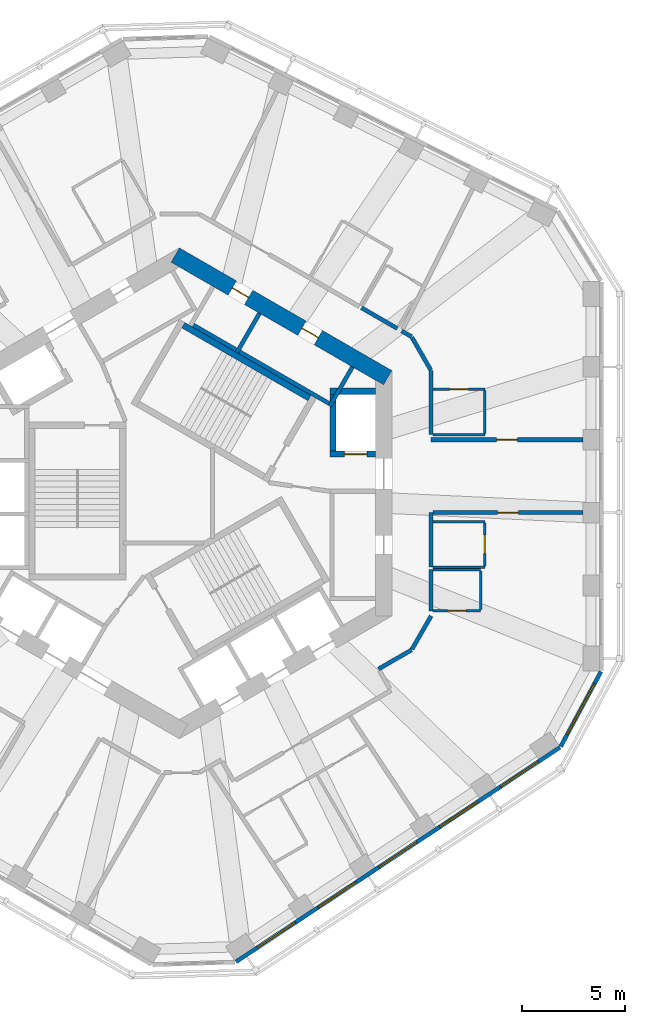
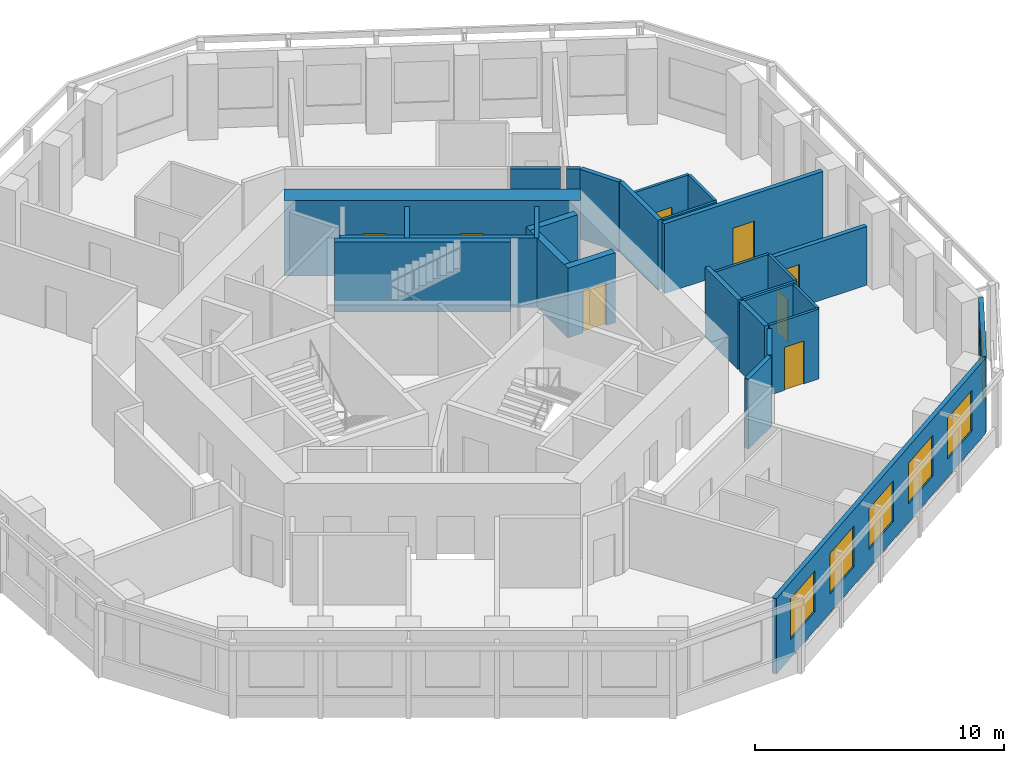
# One storey, part 6 of 11: 29 walls, 8 doors, 6 windows, 14 openings.
"""IFC4 building model written with IfcOpenShell, lengths in metres."""

from ifc_helpers import new_model, si_unit, direction, frame, frame_2d, origin, place, context, subcontext, project, spatial, rectangle, extrude, material, layer, layer_set, type_object, element, fill, save


model = new_model("IFC4")

# Units and contexts
model_context = context("Model", 3, precision=1e-05, world=origin(), true_north=direction((0.0, 1.0)))
body_context = subcontext(model_context, "Body", "Model", "MODEL_VIEW")
ifc_project = project(units=[si_unit("LENGTHUNIT", "METRE"), si_unit("AREAUNIT", "SQUARE_METRE"), si_unit("VOLUMEUNIT", "CUBIC_METRE"), si_unit("PLANEANGLEUNIT", "RADIAN"), si_unit("MASSUNIT", "GRAM", prefix="KILO")], contexts=[model_context])

# Site, building, storey
site_placement = place(None, origin())
site = spatial("IfcSite", under=ifc_project, at=site_placement, CompositionType="ELEMENT")
building_placement = place(site_placement, origin())
building = spatial("IfcBuilding", under=site, at=building_placement, Name="Vanh Sen Convention Tower", CompositionType="ELEMENT")
storey_placement = place(building_placement, frame((0.0, 0.0, 221.699951171875)))
storey = spatial("IfcBuildingStorey", under=building, at=storey_placement, Name="L54", CompositionType="ELEMENT", Elevation=221.699951171875)

# Walls
ifc_material_1 = material(Name="Moisture-resistant gypsum board on steel studs", Category="steel")
ifc_layer_1 = layer(ifc_material_1, 0.1201171875)
ifc_layer_set_1 = layer_set([ifc_layer_1], Name="Moisture-resistant gypsum board on steel studs")
wall_type_1 = type_object("IfcWallType", Name="Bathroom partition 120", PredefinedType="PARTITIONING", material=ifc_layer_set_1)
wall_1_placement = place(storey_placement, frame((12.300048828125, -3.69677734375, 0.0), z_axis=(0.0, 0.0, 1.0), x_axis=(1.0, 0.0, 0.0)))
element("IfcWall", 1, at=wall_1_placement, inside=storey, type_object=wall_type_1, Name="Bathroom partition 120", PredefinedType="PARTITIONING", context=body_context, shape_type="SweptSolid", body=[
    extrude(rectangle(XDim=2.300048828125, YDim=0.1201171875, at=frame_2d((1.14990234375, 0.0))), origin(), (0.0, 0.0, 1.0), 3.420166015625),
])
wall_2_placement = place(storey_placement, frame((12.300048828125, -1.376708984375, 0.0), z_axis=(0.0, 0.0, 1.0), x_axis=(1.0, 0.0, 0.0)))
element("IfcWall", 2, at=wall_2_placement, inside=storey, type_object=wall_type_1, Name="Bathroom partition 120", PredefinedType="PARTITIONING", context=body_context, shape_type="SweptSolid", body=[
    extrude(rectangle(XDim=2.5, YDim=0.1201171875, at=frame_2d((1.25, 0.0))), origin(), (0.0, 0.0, 1.0), 3.420166015625),
])

# Wall, opening, door
wall_3_placement = place(storey_placement, frame((12.300048828125, 5.048095703125, 0.0), z_axis=(0.0, 0.0, 1.0), x_axis=(1.0, 0.0, 0.0)))
wall_3 = element("IfcWall", 3, at=wall_3_placement, inside=storey, type_object=wall_type_1, Name="Bathroom partition 120", PredefinedType="PARTITIONING", context=body_context, shape_type="SweptSolid", body=[
    extrude(rectangle(XDim=2.5, YDim=0.1201171875, at=frame_2d((1.25, 0.0))), origin(), (0.0, 0.0, 1.0), 3.420166015625),
])
opening_1_placement = place(wall_3_placement, frame((0.800048828125, 0.0, 0.0)))
opening_1 = element("IfcOpeningElement", 4, at=opening_1_placement, cuts=wall_3, Name="Opening D52102", PredefinedType="OPENING", context=body_context, shape_type="SweptSolid", body=[
    extrude(rectangle(XDim=0.89990234375, YDim=2.10009765625, at=frame_2d((0.449951171875, 1.050048828125))), frame((0.0, 0.070068359375, 0.0), z_axis=(0.0, -1.0, 0.0), x_axis=(1.0, 0.0, 0.0)), (0.0, 0.0, 1.0), 0.14013671875),
])
ifc_material_2 = material(Name="Laminate door in steel frame", Category="steel")
door_type_1 = type_object("IfcDoorType", Name="Room internal door 900", OperationType="SINGLE_SWING_LEFT", PredefinedType="DOOR", material=ifc_material_2)
door_1_placement = place(opening_1_placement, origin())
door_1 = element("IfcDoor", 5, at=door_1_placement, inside=storey, type_object=door_type_1, Name="Internal room door D52102", OperationType="SINGLE_SWING_LEFT", OverallHeight=2.10009765625, OverallWidth=0.89990234375, PredefinedType="DOOR", context=body_context, shape_type="SweptSolid", body=[
    extrude(rectangle(XDim=0.89990234375, YDim=2.10009765625, at=frame_2d((0.449951171875, 1.050048828125))), frame((0.0, 0.02490234375, 0.0), z_axis=(0.0, -1.0, 0.0), x_axis=(1.0, 0.0, 0.0)), (0.0, 0.0, 1.0), 0.050048828125),
])
fill(opening_1, door_1)

wall_4_placement = place(storey_placement, frame((14.60009765625, -5.69677734375, 0.0), z_axis=(0.0, 0.0, 1.0), x_axis=(-1.0, 0.0, 0.0)))
wall_4 = element("IfcWall", 6, at=wall_4_placement, inside=storey, type_object=wall_type_1, Name="Bathroom partition 120", PredefinedType="PARTITIONING", context=body_context, shape_type="SweptSolid", body=[
    extrude(rectangle(XDim=2.300048828125, YDim=0.1201171875, at=frame_2d((1.14990234375, 0.0))), origin(), (0.0, 0.0, 1.0), 3.420166015625),
])
opening_2_placement = place(wall_4_placement, frame((0.699951171875, 0.0, 0.0)))
opening_2 = element("IfcOpeningElement", 7, at=opening_2_placement, cuts=wall_4, Name="Opening D52118", PredefinedType="OPENING", context=body_context, shape_type="SweptSolid", body=[
    extrude(rectangle(XDim=0.89990234375, YDim=2.10009765625, at=frame_2d((0.449951171875, 1.050048828125))), frame((0.0, 0.070068359375, 0.0), z_axis=(0.0, -1.0, 0.0), x_axis=(1.0, 0.0, 0.0)), (0.0, 0.0, 1.0), 0.14013671875),
])
door_2_placement = place(opening_2_placement, origin())
door_2 = element("IfcDoor", 8, at=door_2_placement, inside=storey, type_object=door_type_1, Name="Internal room door D52118", OperationType="SINGLE_SWING_LEFT", OverallHeight=2.10009765625, OverallWidth=0.89990234375, PredefinedType="DOOR", context=body_context, shape_type="SweptSolid", body=[
    extrude(rectangle(XDim=0.89990234375, YDim=2.10009765625, at=frame_2d((0.449951171875, 1.050048828125))), frame((0.0, 0.02490234375, 0.0), z_axis=(0.0, -1.0, 0.0), x_axis=(1.0, 0.0, 0.0)), (0.0, 0.0, 1.0), 0.050048828125),
])
fill(opening_2, door_2)

# Walls
wall_5_placement = place(storey_placement, frame((14.60009765625, -3.756591796875, 0.0), z_axis=(0.0, 0.0, 1.0), x_axis=(0.0, -1.0, 0.0)))
element("IfcWall", 9, at=wall_5_placement, inside=storey, type_object=wall_type_1, Name="Bathroom partition 120", PredefinedType="PARTITIONING", context=body_context, shape_type="SweptSolid", body=[
    extrude(rectangle(XDim=1.880126953125, YDim=0.1201171875, at=frame_2d((0.93994140625, 0.0))), origin(), (0.0, 0.0, 1.0), 3.420166015625),
])
wall_6_placement = place(storey_placement, frame((14.800048828125, -3.57666015625, 0.0), z_axis=(0.0, 0.0, 1.0), x_axis=(-1.0, 0.0, 0.0)))
element("IfcWall", 10, at=wall_6_placement, inside=storey, type_object=wall_type_1, Name="Bathroom partition 120", PredefinedType="PARTITIONING", context=body_context, shape_type="SweptSolid", body=[
    extrude(rectangle(XDim=2.5, YDim=0.1201171875, at=frame_2d((1.25, 0.0))), origin(), (0.0, 0.0, 1.0), 3.420166015625),
])

# Wall, opening, door
wall_7_placement = place(storey_placement, frame((14.800048828125, -1.436767578125, 0.0), z_axis=(0.0, 0.0, 1.0), x_axis=(0.0, -1.0, 0.0)))
wall_7 = element("IfcWall", 11, at=wall_7_placement, inside=storey, type_object=wall_type_1, Name="Bathroom partition 120", PredefinedType="PARTITIONING", context=body_context, shape_type="SweptSolid", body=[
    extrude(rectangle(XDim=2.079833984375, YDim=0.1201171875, at=frame_2d((1.0400390625, 0.0))), origin(), (0.0, 0.0, 1.0), 3.420166015625),
])
opening_3_placement = place(wall_7_placement, frame((0.590087890625, 0.0, 0.0)))
opening_3 = element("IfcOpeningElement", 12, at=opening_3_placement, cuts=wall_7, Name="Opening D52119", PredefinedType="OPENING", context=body_context, shape_type="SweptSolid", body=[
    extrude(rectangle(XDim=0.89990234375, YDim=2.10009765625, at=frame_2d((0.449951171875, 1.050048828125))), frame((0.0, 0.070068359375, 0.0), z_axis=(0.0, -1.0, 0.0), x_axis=(1.0, 0.0, 0.0)), (0.0, 0.0, 1.0), 0.14013671875),
])
door_3_placement = place(opening_3_placement, origin())
door_3 = element("IfcDoor", 13, at=door_3_placement, inside=storey, type_object=door_type_1, Name="Internal room door D52119", OperationType="SINGLE_SWING_LEFT", OverallHeight=2.10009765625, OverallWidth=0.89990234375, PredefinedType="DOOR", context=body_context, shape_type="SweptSolid", body=[
    extrude(rectangle(XDim=0.89990234375, YDim=2.10009765625, at=frame_2d((0.449951171875, 1.050048828125))), frame((0.0, 0.02490234375, 0.0), z_axis=(0.0, -1.0, 0.0), x_axis=(1.0, 0.0, 0.0)), (0.0, 0.0, 1.0), 0.050048828125),
])
fill(opening_3, door_3)

# Walls
wall_8_placement = place(storey_placement, frame((14.800048828125, 2.84814453125, 0.0), z_axis=(0.0, 0.0, 1.0), x_axis=(-1.0, 0.0, 0.0)))
element("IfcWall", 14, at=wall_8_placement, inside=storey, type_object=wall_type_1, Name="Bathroom partition 120", PredefinedType="PARTITIONING", context=body_context, shape_type="SweptSolid", body=[
    extrude(rectangle(XDim=2.5, YDim=0.1201171875, at=frame_2d((1.25, 0.0))), origin(), (0.0, 0.0, 1.0), 3.420166015625),
])
wall_9_placement = place(storey_placement, frame((14.800048828125, 4.988037109375, 0.0), z_axis=(0.0, 0.0, 1.0), x_axis=(0.0, -1.0, 0.0)))
element("IfcWall", 15, at=wall_9_placement, inside=storey, type_object=wall_type_1, Name="Bathroom partition 120", PredefinedType="PARTITIONING", context=body_context, shape_type="SweptSolid", body=[
    extrude(rectangle(XDim=2.079833984375, YDim=0.1201171875, at=frame_2d((1.0400390625, 0.0))), origin(), (0.0, 0.0, 1.0), 3.420166015625),
])

# Wall, openings, doors
ifc_material_3 = material(Name="Concrete C60/75", Category="concrete")
ifc_layer_2 = layer(ifc_material_3, 0.800048828125)
ifc_layer_set_2 = layer_set([ifc_layer_2], Name="Concrete C60/75")
wall_type_2 = type_object("IfcWallType", Name="Core outer wall 800 C60/75", PredefinedType="SHEAR", material=ifc_layer_set_2)
wall_10_placement = place(storey_placement, frame((10.10009765625, 5.600341796875, 0.0), z_axis=(0.0, 0.0, 1.0), x_axis=(-0.866023897231, 0.500002609418, 0.0)))
wall_10 = element("IfcWall", 16, at=wall_10_placement, inside=storey, type_object=wall_type_2, Name="Core wall face NE L54", PredefinedType="SHEAR", context=body_context, shape_type="SweptSolid", body=[
    extrude(rectangle(XDim=11.8935546875, YDim=0.800048828125, at=frame_2d((5.94677734375, 0.0))), origin(), (0.0, 0.0, 1.0), 3.699951171875),
])
opening_4_placement = place(wall_10_placement, frame((3.896728515625, 0.0, 0.0)))
opening_4 = element("IfcOpeningElement", 17, at=opening_4_placement, cuts=wall_10, Name="Opening D52011", PredefinedType="OPENING", context=body_context, shape_type="SweptSolid", body=[
    extrude(rectangle(XDim=0.89990234375, YDim=2.10009765625, at=frame_2d((0.449951171875, 1.050048828125))), frame((0.0, 0.409912109375, 0.0), z_axis=(0.0, -1.0, 0.0), x_axis=(1.0, 0.0, 0.0)), (0.0, 0.0, 1.0), 0.820068359375),
])
opening_5_placement = place(wall_10_placement, frame((7.796630859375, 0.0, 0.0)))
opening_5 = element("IfcOpeningElement", 18, at=opening_5_placement, cuts=wall_10, Name="Opening D52012", PredefinedType="OPENING", context=body_context, shape_type="SweptSolid", body=[
    extrude(rectangle(XDim=0.89990234375, YDim=2.10009765625, at=frame_2d((0.449951171875, 1.050048828125))), frame((0.0, 0.409912109375, 0.0), z_axis=(0.0, -1.0, 0.0), x_axis=(1.0, 0.0, 0.0)), (0.0, 0.0, 1.0), 0.820068359375),
])
ifc_material_4 = material(Name="Steel S355", Category="steel")
door_type_2 = type_object("IfcDoorType", Name="Plant door 900", OperationType="SINGLE_SWING_LEFT", PredefinedType="DOOR", material=ifc_material_4)
door_4_placement = place(opening_4_placement, origin())
door_4 = element("IfcDoor", 19, at=door_4_placement, inside=storey, type_object=door_type_2, Name="Plant door D52011", OperationType="SINGLE_SWING_LEFT", OverallHeight=2.10009765625, OverallWidth=0.89990234375, PredefinedType="DOOR", context=body_context, shape_type="SweptSolid", body=[
    extrude(rectangle(XDim=0.89990234375, YDim=2.10009765625, at=frame_2d((0.449951171875, 1.050048828125))), frame((0.0, 0.02490234375, 0.0), z_axis=(0.0, -1.0, 0.0), x_axis=(1.0, 0.0, 0.0)), (0.0, 0.0, 1.0), 0.050048828125),
])
fill(opening_4, door_4)
door_5_placement = place(opening_5_placement, origin())
door_5 = element("IfcDoor", 20, at=door_5_placement, inside=storey, type_object=door_type_2, Name="Plant door D52012", OperationType="SINGLE_SWING_LEFT", OverallHeight=2.10009765625, OverallWidth=0.89990234375, PredefinedType="DOOR", context=body_context, shape_type="SweptSolid", body=[
    extrude(rectangle(XDim=0.89990234375, YDim=2.10009765625, at=frame_2d((0.449951171875, 1.050048828125))), frame((0.0, 0.02490234375, 0.0), z_axis=(0.0, -1.0, 0.0), x_axis=(1.0, 0.0, 0.0)), (0.0, 0.0, 1.0), 0.050048828125),
])
fill(opening_5, door_5)

# Walls
ifc_material_5 = material(Name="Gypsum board on steel studs with mineral wool", Category="steel")
ifc_layer_3 = layer(ifc_material_5, 0.199951171875)
ifc_layer_set_3 = layer_set([ifc_layer_3], Name="Gypsum board on steel studs with mineral wool")
wall_type_3 = type_object("IfcWallType", Name="Corridor partition wall 200", PredefinedType="PARTITIONING", material=ifc_layer_set_3)
wall_11_placement = place(storey_placement, frame((9.651611328125, -8.514892578125, 0.0), z_axis=(0.0, 0.0, 1.0), x_axis=(0.866020375458, 0.500008709215, 0.0)))
element("IfcWall", 21, at=wall_11_placement, inside=storey, type_object=wall_type_3, Name="Corridor partition wall 200", PredefinedType="PARTITIONING", context=body_context, shape_type="SweptSolid", body=[
    extrude(rectangle(XDim=1.845703125, YDim=0.199951171875, at=frame_2d((0.9228515625, 0.0))), origin(), (0.0, 0.0, 1.0), 3.420166015625),
])
wall_12_placement = place(storey_placement, frame((10.5576171875, 7.991943359375, 0.0), z_axis=(0.0, 0.0, 1.0), x_axis=(-0.866041268327, 0.499972520799, 0.0)))
element("IfcWall", 22, at=wall_12_placement, inside=storey, type_object=wall_type_3, Name="Corridor partition wall 200", PredefinedType="PARTITIONING", context=body_context, shape_type="SweptSolid", body=[
    extrude(rectangle(XDim=2.0, YDim=0.199951171875, at=frame_2d((1.0, 0.0))), origin(), (0.0, 0.0, 1.0), 3.420166015625),
])
wall_13_placement = place(storey_placement, frame((11.25, 7.592041015625, 0.0), z_axis=(0.0, 0.0, 1.0), x_axis=(-0.865993292597, 0.500055614084, 0.0)))
element("IfcWall", 23, at=wall_13_placement, inside=storey, type_object=wall_type_3, Name="Corridor partition wall 200", PredefinedType="PARTITIONING", context=body_context, shape_type="SweptSolid", body=[
    extrude(rectangle(XDim=0.5498046875, YDim=0.199951171875, at=frame_2d((0.27490234375, 0.0))), origin(), (0.0, 0.0, 1.0), 3.420166015625),
])
wall_14_placement = place(storey_placement, frame((11.27001953125, -7.5576171875, 0.0), z_axis=(0.0, 0.0, 1.0), x_axis=(0.499964847546, 0.866045698112, 0.0)))
element("IfcWall", 24, at=wall_14_placement, inside=storey, type_object=wall_type_3, Name="Corridor partition wall 200", PredefinedType="PARTITIONING", context=body_context, shape_type="SweptSolid", body=[
    extrude(rectangle(XDim=1.860107421875, YDim=0.199951171875, at=frame_2d((0.93017578125, 0.0))), origin(), (0.0, 0.0, 1.0), 3.420166015625),
])
wall_15_placement = place(storey_placement, frame((12.179931640625, 5.981201171875, 0.0), z_axis=(0.0, 0.0, 1.0), x_axis=(-0.499904359745, 0.86608061467, 0.0)))
element("IfcWall", 25, at=wall_15_placement, inside=storey, type_object=wall_type_3, Name="Corridor partition wall 200", PredefinedType="PARTITIONING", context=body_context, shape_type="SweptSolid", body=[
    extrude(rectangle(XDim=1.820068359375, YDim=0.199951171875, at=frame_2d((0.91015625, 0.0))), origin(), (0.0, 0.0, 1.0), 3.420166015625),
])
wall_16_placement = place(storey_placement, frame((12.199951171875, -5.69677734375, 0.0), z_axis=(0.0, 0.0, 1.0), x_axis=(0.0, 1.0, 0.0)))
element("IfcWall", 26, at=wall_16_placement, inside=storey, type_object=wall_type_3, Name="Corridor partition wall 200", PredefinedType="PARTITIONING", context=body_context, shape_type="SweptSolid", body=[
    extrude(rectangle(XDim=2.0, YDim=0.199951171875, at=frame_2d((1.0, 0.0))), origin(), (0.0, 0.0, 1.0), 3.420166015625),
])
wall_17_placement = place(storey_placement, frame((12.199951171875, -3.57666015625, 0.0), z_axis=(0.0, 0.0, 1.0), x_axis=(0.0, 1.0, 0.0)))
element("IfcWall", 27, at=wall_17_placement, inside=storey, type_object=wall_type_3, Name="Corridor partition wall 200", PredefinedType="PARTITIONING", context=body_context, shape_type="SweptSolid", body=[
    extrude(rectangle(XDim=2.64111328125, YDim=0.199951171875, at=frame_2d((1.320556640625, 0.0))), origin(), (0.0, 0.0, 1.0), 3.420166015625),
])
wall_18_placement = place(storey_placement, frame((12.199951171875, 2.84814453125, 0.0), z_axis=(0.0, 0.0, 1.0), x_axis=(0.0, 1.0, 0.0)))
element("IfcWall", 28, at=wall_18_placement, inside=storey, type_object=wall_type_3, Name="Corridor partition wall 200", PredefinedType="PARTITIONING", context=body_context, shape_type="SweptSolid", body=[
    extrude(rectangle(XDim=3.0986328125, YDim=0.199951171875, at=frame_2d((1.54931640625, 0.0))), origin(), (0.0, 0.0, 1.0), 3.420166015625),
])

# Wall, opening, door
wall_19_placement = place(storey_placement, frame((12.300048828125, -0.935546875, 0.0), z_axis=(0.0, 0.0, 1.0), x_axis=(1.0, 0.0, 0.0)))
wall_19 = element("IfcWall", 29, at=wall_19_placement, inside=storey, type_object=wall_type_3, Name="Corridor partition wall 200", PredefinedType="PARTITIONING", context=body_context, shape_type="SweptSolid", body=[
    extrude(rectangle(XDim=7.25, YDim=0.199951171875, at=frame_2d((3.625, 0.0))), origin(), (0.0, 0.0, 1.0), 2.8701171875),
])
opening_6_placement = place(wall_19_placement, frame((3.125, 0.0, 0.0)))
opening_6 = element("IfcOpeningElement", 30, at=opening_6_placement, cuts=wall_19, Name="Opening D52117", PredefinedType="OPENING", context=body_context, shape_type="SweptSolid", body=[
    extrude(rectangle(XDim=1.0, YDim=2.10009765625, at=frame_2d((0.5, 1.050048828125))), frame((0.0, 0.10986328125, 0.0), z_axis=(0.0, -1.0, 0.0), x_axis=(1.0, 0.0, 0.0)), (0.0, 0.0, 1.0), 0.219970703125),
])
ifc_material_6 = material(Name="Glazed fire door in steel frame", Category="steel")
door_type_3 = type_object("IfcDoorType", Name="Tenant entrance door 1000", OperationType="SINGLE_SWING_LEFT", PredefinedType="DOOR", material=ifc_material_6)
door_6_placement = place(opening_6_placement, origin())
door_6 = element("IfcDoor", 31, at=door_6_placement, inside=storey, type_object=door_type_3, Name="Tenant suite entrance door D52117", OperationType="SINGLE_SWING_LEFT", OverallHeight=2.10009765625, OverallWidth=1.0, PredefinedType="DOOR", context=body_context, shape_type="SweptSolid", body=[
    extrude(rectangle(XDim=1.0, YDim=2.10009765625, at=frame_2d((0.5, 1.050048828125))), frame((0.0, 0.02490234375, 0.0), z_axis=(0.0, -1.0, 0.0), x_axis=(1.0, 0.0, 0.0)), (0.0, 0.0, 1.0), 0.050048828125),
])
fill(opening_6, door_6)

wall_20_placement = place(storey_placement, frame((19.550048828125, 2.59814453125, 0.0), z_axis=(0.0, 0.0, 1.0), x_axis=(-1.0, 0.0, 0.0)))
wall_20 = element("IfcWall", 32, at=wall_20_placement, inside=storey, type_object=wall_type_3, Name="Corridor partition wall 200", PredefinedType="PARTITIONING", context=body_context, shape_type="SweptSolid", body=[
    extrude(rectangle(XDim=7.35009765625, YDim=0.199951171875, at=frame_2d((3.675048828125, 0.0))), origin(), (0.0, 0.0, 1.0), 3.420166015625),
])
opening_7_placement = place(wall_20_placement, frame((3.175048828125, 0.0, 0.0)))
opening_7 = element("IfcOpeningElement", 33, at=opening_7_placement, cuts=wall_20, Name="Opening D52101", PredefinedType="OPENING", context=body_context, shape_type="SweptSolid", body=[
    extrude(rectangle(XDim=1.0, YDim=2.10009765625, at=frame_2d((0.5, 1.050048828125))), frame((0.0, 0.10986328125, 0.0), z_axis=(0.0, -1.0, 0.0), x_axis=(1.0, 0.0, 0.0)), (0.0, 0.0, 1.0), 0.219970703125),
])
door_7_placement = place(opening_7_placement, origin())
door_7 = element("IfcDoor", 34, at=door_7_placement, inside=storey, type_object=door_type_3, Name="Tenant suite entrance door D52101", OperationType="SINGLE_SWING_LEFT", OverallHeight=2.10009765625, OverallWidth=1.0, PredefinedType="DOOR", context=body_context, shape_type="SweptSolid", body=[
    extrude(rectangle(XDim=1.0, YDim=2.10009765625, at=frame_2d((0.5, 1.050048828125))), frame((0.0, 0.02490234375, 0.0), z_axis=(0.0, -1.0, 0.0), x_axis=(1.0, 0.0, 0.0)), (0.0, 0.0, 1.0), 0.050048828125),
])
fill(opening_7, door_7)

# Wall, openings, windows
ifc_material_7 = material(Name="Insulated lightweight infill wall")
ifc_layer_4 = layer(ifc_material_7, 0.199951171875)
ifc_layer_set_4 = layer_set([ifc_layer_4], Name="Insulated lightweight infill wall")
wall_type_4 = type_object("IfcWallType", Name="External wall 200", PredefinedType="STANDARD", material=ifc_layer_set_4)
wall_21_placement = place(storey_placement, frame((2.739013671875, -22.7109375, 0.0), z_axis=(0.0, 0.0, 1.0), x_axis=(0.833885723098, 0.551937134838, 0.0)))
wall_21 = element("IfcWall", 35, at=wall_21_placement, inside=storey, type_object=wall_type_4, Name="External wall SE L54", PredefinedType="STANDARD", context=body_context, shape_type="SweptSolid", body=[
    extrude(rectangle(XDim=18.84130859375, YDim=0.199951171875, at=frame_2d((9.420654296875, 0.0))), origin(), (0.0, 0.0, 1.0), 3.699951171875),
])
opening_8_placement = place(wall_21_placement, frame((1.25244140625, 0.0, 0.89990234375)))
opening_8 = element("IfcOpeningElement", 36, at=opening_8_placement, cuts=wall_21, Name="Opening WO3-SE1", PredefinedType="OPENING", context=body_context, shape_type="SweptSolid", body=[
    extrude(rectangle(XDim=2.199951171875, YDim=2.0, at=frame_2d((1.10009765625, 1.0))), frame((0.0, 0.10986328125, 0.0), z_axis=(0.0, -1.0, 0.0), x_axis=(1.0, 0.0, 0.0)), (0.0, 0.0, 1.0), 0.219970703125),
])
opening_9_placement = place(wall_21_placement, frame((4.7861328125, 0.0, 0.89990234375)))
opening_9 = element("IfcOpeningElement", 37, at=opening_9_placement, cuts=wall_21, Name="Opening WO3-SE2", PredefinedType="OPENING", context=body_context, shape_type="SweptSolid", body=[
    extrude(rectangle(XDim=2.199951171875, YDim=2.0, at=frame_2d((1.10009765625, 1.0))), frame((0.0, 0.10986328125, 0.0), z_axis=(0.0, -1.0, 0.0), x_axis=(1.0, 0.0, 0.0)), (0.0, 0.0, 1.0), 0.219970703125),
])
opening_10_placement = place(wall_21_placement, frame((8.31982421875, 0.0, 0.89990234375)))
opening_10 = element("IfcOpeningElement", 38, at=opening_10_placement, cuts=wall_21, Name="Opening WO3-SE3", PredefinedType="OPENING", context=body_context, shape_type="SweptSolid", body=[
    extrude(rectangle(XDim=2.199951171875, YDim=2.0, at=frame_2d((1.10009765625, 1.0))), frame((0.0, 0.10986328125, 0.0), z_axis=(0.0, -1.0, 0.0), x_axis=(1.0, 0.0, 0.0)), (0.0, 0.0, 1.0), 0.219970703125),
])
opening_11_placement = place(wall_21_placement, frame((11.853515625, 0.0, 0.89990234375)))
opening_11 = element("IfcOpeningElement", 39, at=opening_11_placement, cuts=wall_21, Name="Opening WO3-SE4", PredefinedType="OPENING", context=body_context, shape_type="SweptSolid", body=[
    extrude(rectangle(XDim=2.199951171875, YDim=2.0, at=frame_2d((1.10009765625, 1.0))), frame((0.0, 0.10986328125, 0.0), z_axis=(0.0, -1.0, 0.0), x_axis=(1.0, 0.0, 0.0)), (0.0, 0.0, 1.0), 0.219970703125),
])
opening_12_placement = place(wall_21_placement, frame((15.386962890625, 0.0, 0.89990234375)))
opening_12 = element("IfcOpeningElement", 40, at=opening_12_placement, cuts=wall_21, Name="Opening WO3-SE5", PredefinedType="OPENING", context=body_context, shape_type="SweptSolid", body=[
    extrude(rectangle(XDim=2.199951171875, YDim=2.0, at=frame_2d((1.10009765625, 1.0))), frame((0.0, 0.10986328125, 0.0), z_axis=(0.0, -1.0, 0.0), x_axis=(1.0, 0.0, 0.0)), (0.0, 0.0, 1.0), 0.219970703125),
])
ifc_material_8 = material(Name="Aluminium frame with clear low-emissivity glass", Category="aluminium")
window_type_1 = type_object("IfcWindowType", Name="Office window 2200 x 2000", PartitioningType="SINGLE_PANEL", PredefinedType="WINDOW", material=ifc_material_8)
window_1_placement = place(opening_8_placement, origin())
window_1 = element("IfcWindow", 41, at=window_1_placement, inside=storey, type_object=window_type_1, Name="Window WO3-SE1", OverallHeight=2.0, OverallWidth=2.199951171875, PartitioningType="SINGLE_PANEL", PredefinedType="WINDOW", context=body_context, shape_type="SweptSolid", body=[
    extrude(rectangle(XDim=2.199951171875, YDim=2.0, at=frame_2d((1.10009765625, 1.0))), frame((0.0, 0.030029296875, 0.0), z_axis=(0.0, -1.0, 0.0), x_axis=(1.0, 0.0, 0.0)), (0.0, 0.0, 1.0), 0.06005859375),
])
fill(opening_8, window_1)
window_2_placement = place(opening_9_placement, origin())
window_2 = element("IfcWindow", 42, at=window_2_placement, inside=storey, type_object=window_type_1, Name="Window WO3-SE2", OverallHeight=2.0, OverallWidth=2.199951171875, PartitioningType="SINGLE_PANEL", PredefinedType="WINDOW", context=body_context, shape_type="SweptSolid", body=[
    extrude(rectangle(XDim=2.199951171875, YDim=2.0, at=frame_2d((1.10009765625, 1.0))), frame((0.0, 0.030029296875, 0.0), z_axis=(0.0, -1.0, 0.0), x_axis=(1.0, 0.0, 0.0)), (0.0, 0.0, 1.0), 0.06005859375),
])
fill(opening_9, window_2)
window_3_placement = place(opening_10_placement, origin())
window_3 = element("IfcWindow", 43, at=window_3_placement, inside=storey, type_object=window_type_1, Name="Window WO3-SE3", OverallHeight=2.0, OverallWidth=2.199951171875, PartitioningType="SINGLE_PANEL", PredefinedType="WINDOW", context=body_context, shape_type="SweptSolid", body=[
    extrude(rectangle(XDim=2.199951171875, YDim=2.0, at=frame_2d((1.10009765625, 1.0))), frame((0.0, 0.030029296875, 0.0), z_axis=(0.0, -1.0, 0.0), x_axis=(1.0, 0.0, 0.0)), (0.0, 0.0, 1.0), 0.06005859375),
])
fill(opening_10, window_3)
window_4_placement = place(opening_11_placement, origin())
window_4 = element("IfcWindow", 44, at=window_4_placement, inside=storey, type_object=window_type_1, Name="Window WO3-SE4", OverallHeight=2.0, OverallWidth=2.199951171875, PartitioningType="SINGLE_PANEL", PredefinedType="WINDOW", context=body_context, shape_type="SweptSolid", body=[
    extrude(rectangle(XDim=2.199951171875, YDim=2.0, at=frame_2d((1.10009765625, 1.0))), frame((0.0, 0.030029296875, 0.0), z_axis=(0.0, -1.0, 0.0), x_axis=(1.0, 0.0, 0.0)), (0.0, 0.0, 1.0), 0.06005859375),
])
fill(opening_11, window_4)
window_5_placement = place(opening_12_placement, origin())
window_5 = element("IfcWindow", 45, at=window_5_placement, inside=storey, type_object=window_type_1, Name="Window WO3-SE5", OverallHeight=2.0, OverallWidth=2.199951171875, PartitioningType="SINGLE_PANEL", PredefinedType="WINDOW", context=body_context, shape_type="SweptSolid", body=[
    extrude(rectangle(XDim=2.199951171875, YDim=2.0, at=frame_2d((1.10009765625, 1.0))), frame((0.0, 0.030029296875, 0.0), z_axis=(0.0, -1.0, 0.0), x_axis=(1.0, 0.0, 0.0)), (0.0, 0.0, 1.0), 0.06005859375),
])
fill(opening_12, window_5)

# Wall, opening, window
wall_22_placement = place(storey_placement, frame((18.4833984375, -12.275634765625, 0.0), z_axis=(0.0, 0.0, 1.0), x_axis=(0.473267675015, 0.880918672629, 0.0)))
wall_22 = element("IfcWall", 46, at=wall_22_placement, inside=storey, type_object=wall_type_4, Name="External wall CH6 L54", PredefinedType="STANDARD", context=body_context, shape_type="SweptSolid", body=[
    extrude(rectangle(XDim=4.1298828125, YDim=0.199951171875, at=frame_2d((2.06494140625, 0.0))), origin(), (0.0, 0.0, 1.0), 3.699951171875),
])
opening_13_placement = place(wall_22_placement, frame((0.6650390625, 0.0, 0.89990234375)))
opening_13 = element("IfcOpeningElement", 47, at=opening_13_placement, cuts=wall_22, Name="Opening WO4-CH61", PredefinedType="OPENING", context=body_context, shape_type="SweptSolid", body=[
    extrude(rectangle(XDim=2.800048828125, YDim=2.0, at=frame_2d((1.39990234375, 1.0))), frame((0.0, 0.10986328125, 0.0), z_axis=(0.0, -1.0, 0.0), x_axis=(1.0, 0.0, 0.0)), (0.0, 0.0, 1.0), 0.219970703125),
])
window_type_2 = type_object("IfcWindowType", Name="Office window 2800 x 2000", PartitioningType="SINGLE_PANEL", PredefinedType="WINDOW", material=ifc_material_8)
window_6_placement = place(opening_13_placement, origin())
window_6 = element("IfcWindow", 48, at=window_6_placement, inside=storey, type_object=window_type_2, Name="Window WO4-CH61", OverallHeight=2.0, OverallWidth=2.800048828125, PartitioningType="SINGLE_PANEL", PredefinedType="WINDOW", context=body_context, shape_type="SweptSolid", body=[
    extrude(rectangle(XDim=2.800048828125, YDim=2.0, at=frame_2d((1.39990234375, 1.0))), frame((0.0, 0.030029296875, 0.0), z_axis=(0.0, -1.0, 0.0), x_axis=(1.0, 0.0, 0.0)), (0.0, 0.0, 1.0), 0.06005859375),
])
fill(opening_13, window_6)

# Wall, opening, door
ifc_layer_5 = layer(ifc_material_3, 0.300048828125)
ifc_layer_set_5 = layer_set([ifc_layer_5], Name="Concrete C60/75")
wall_type_5 = type_object("IfcWallType", Name="Fire-fighting lift shaft wall 300", PredefinedType="SHEAR", material=ifc_layer_set_5)
wall_23_placement = place(storey_placement, frame((7.300048828125, 1.89990234375, 0.0), z_axis=(0.0, 0.0, 1.0), x_axis=(1.0, 0.0, 0.0)))
wall_23 = element("IfcWall", 49, at=wall_23_placement, inside=storey, type_object=wall_type_5, Name="Fire-fighting lift shaft wall L54", PredefinedType="SHEAR", context=body_context, shape_type="SweptSolid", body=[
    extrude(rectangle(XDim=2.199951171875, YDim=0.300048828125, at=frame_2d((1.10009765625, 0.0))), origin(), (0.0, 0.0, 1.0), 3.420166015625),
])
opening_14_placement = place(wall_23_placement, frame((0.699951171875, 0.0, 0.0)))
opening_14 = element("IfcOpeningElement", 50, at=opening_14_placement, cuts=wall_23, Name="Opening LD-FF1", PredefinedType="OPENING", context=body_context, shape_type="SweptSolid", body=[
    extrude(rectangle(XDim=1.10009765625, YDim=2.10009765625, at=frame_2d((0.550048828125, 1.050048828125))), frame((0.0, 0.159912109375, 0.0), z_axis=(0.0, -1.0, 0.0), x_axis=(1.0, 0.0, 0.0)), (0.0, 0.0, 1.0), 0.320068359375),
])
ifc_material_9 = material(Name="Stainless steel", Category="steel")
door_type_4 = type_object("IfcDoorType", Name="Fire-fighting lift landing door 1100", OperationType="DOUBLE_DOOR_SLIDING", PredefinedType="DOOR", material=ifc_material_9)
door_8_placement = place(opening_14_placement, origin())
door_8 = element("IfcDoor", 51, at=door_8_placement, inside=storey, type_object=door_type_4, Name="Lift FF1 landing door LD-FF1", OperationType="DOUBLE_DOOR_SLIDING", OverallHeight=2.10009765625, OverallWidth=1.10009765625, PredefinedType="DOOR", context=body_context, shape_type="SweptSolid", body=[
    extrude(rectangle(XDim=1.10009765625, YDim=2.10009765625, at=frame_2d((0.550048828125, 1.050048828125))), frame((0.0, 0.02490234375, 0.0), z_axis=(0.0, -1.0, 0.0), x_axis=(1.0, 0.0, 0.0)), (0.0, 0.0, 1.0), 0.050048828125),
])
fill(opening_14, door_8)

# Walls
wall_24_placement = place(storey_placement, frame((7.449951171875, 1.75, 0.0), z_axis=(0.0, 0.0, 1.0), x_axis=(0.0, 1.0, 0.0)))
element("IfcWall", 52, at=wall_24_placement, inside=storey, type_object=wall_type_5, Name="Fire-fighting lift shaft wall L54", PredefinedType="SHEAR", context=body_context, shape_type="SweptSolid", body=[
    extrude(rectangle(XDim=3.35009765625, YDim=0.300048828125, at=frame_2d((1.675048828125, 0.0))), origin(), (0.0, 0.0, 1.0), 3.420166015625),
])
wall_25_placement = place(storey_placement, frame((7.300048828125, 4.949951171875, 0.0), z_axis=(0.0, 0.0, 1.0), x_axis=(1.0, 0.0, 0.0)))
element("IfcWall", 53, at=wall_25_placement, inside=storey, type_object=wall_type_5, Name="Fire-fighting lift shaft wall L54", PredefinedType="SHEAR", context=body_context, shape_type="SweptSolid", body=[
    extrude(rectangle(XDim=2.199951171875, YDim=0.300048828125, at=frame_2d((1.10009765625, 0.0))), origin(), (0.0, 0.0, 1.0), 3.420166015625),
])
ifc_material_10 = material(Name="Concrete C40/50", Category="concrete")
ifc_layer_6 = layer(ifc_material_10, 0.199951171875)
ifc_layer_set_6 = layer_set([ifc_layer_6], Name="Concrete C40/50")
wall_type_6 = type_object("IfcWallType", Name="Lift shaft wall 200", PredefinedType="PARTITIONING", material=ifc_layer_set_6)
wall_26_placement = place(storey_placement, frame((7.423828125, 4.258544921875, 0.0), z_axis=(0.0, 0.0, 1.0), x_axis=(-0.866026010844, 0.49999894854, 0.0)))
element("IfcWall", 54, at=wall_26_placement, inside=storey, type_object=wall_type_6, Name="Lift shaft wall L54", PredefinedType="PARTITIONING", context=body_context, shape_type="SweptSolid", body=[
    extrude(rectangle(XDim=8.0, YDim=0.199951171875, at=frame_2d((4.0, 0.0))), origin(), (0.0, 0.0, 1.0), 3.420166015625),
])
for number, where, z_axis, x_axis, name in (
    (55, (7.287353515625, 4.221923828125, 0.0), (0.0, 0.0, 1.0), (0.499946605688, 0.86605622881, 0.0), "Lift shaft wall L54"),
    (56, (2.783935546875, 6.822021484375, 0.0), (0.0, 0.0, 1.0), (0.50002983664, 0.866008176907, 0.0), "Lift shaft wall L54"),
):
    element("IfcWall", number, at=place(storey_placement, frame(where, z_axis=z_axis, x_axis=x_axis)), inside=storey, type_object=wall_type_6, Name=name, PredefinedType="PARTITIONING", context=body_context, shape_type="SweptSolid", body=[
        extrude(rectangle(XDim=2.199951171875, YDim=0.199951171875, at=frame_2d((1.10009765625, 0.0))), origin(), (0.0, 0.0, 1.0), 3.420166015625),
    ])
ifc_layer_7 = layer(ifc_material_3, 0.300048828125)
ifc_layer_set_7 = layer_set([ifc_layer_7], Name="Concrete C60/75")
wall_type_7 = type_object("IfcWallType", Name="Stair wall 300", PredefinedType="SHEAR", material=ifc_layer_set_7)
wall_27_placement = place(storey_placement, frame((6.302978515625, 4.6171875, 0.0), z_axis=(0.0, 0.0, 1.0), x_axis=(-0.866027801685, 0.499995846692, 0.0)))
element("IfcWall", 57, at=wall_27_placement, inside=storey, type_object=wall_type_7, Name="Stair wall L54", PredefinedType="SHEAR", context=body_context, shape_type="SweptSolid", body=[
    extrude(rectangle(XDim=7.06005859375, YDim=0.300048828125, at=frame_2d((3.530029296875, 0.0))), origin(), (0.0, 0.0, 1.0), 3.420166015625),
])

save(model, "model.ifc")
